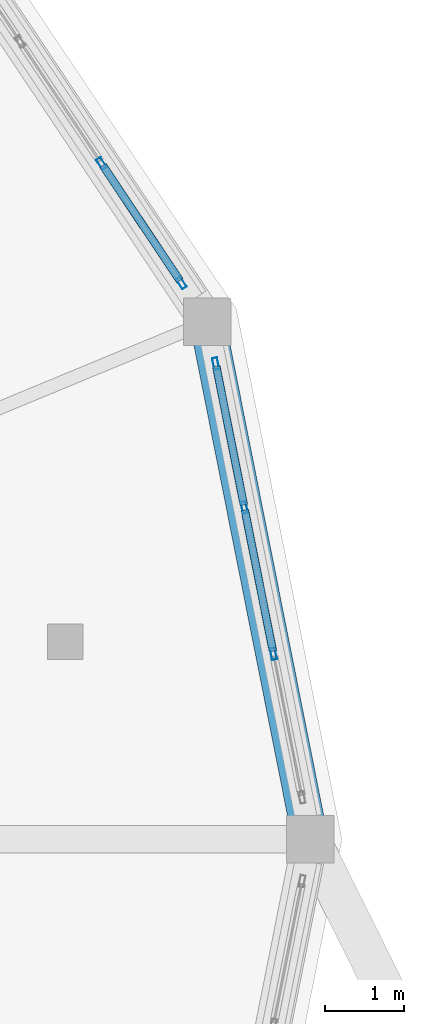
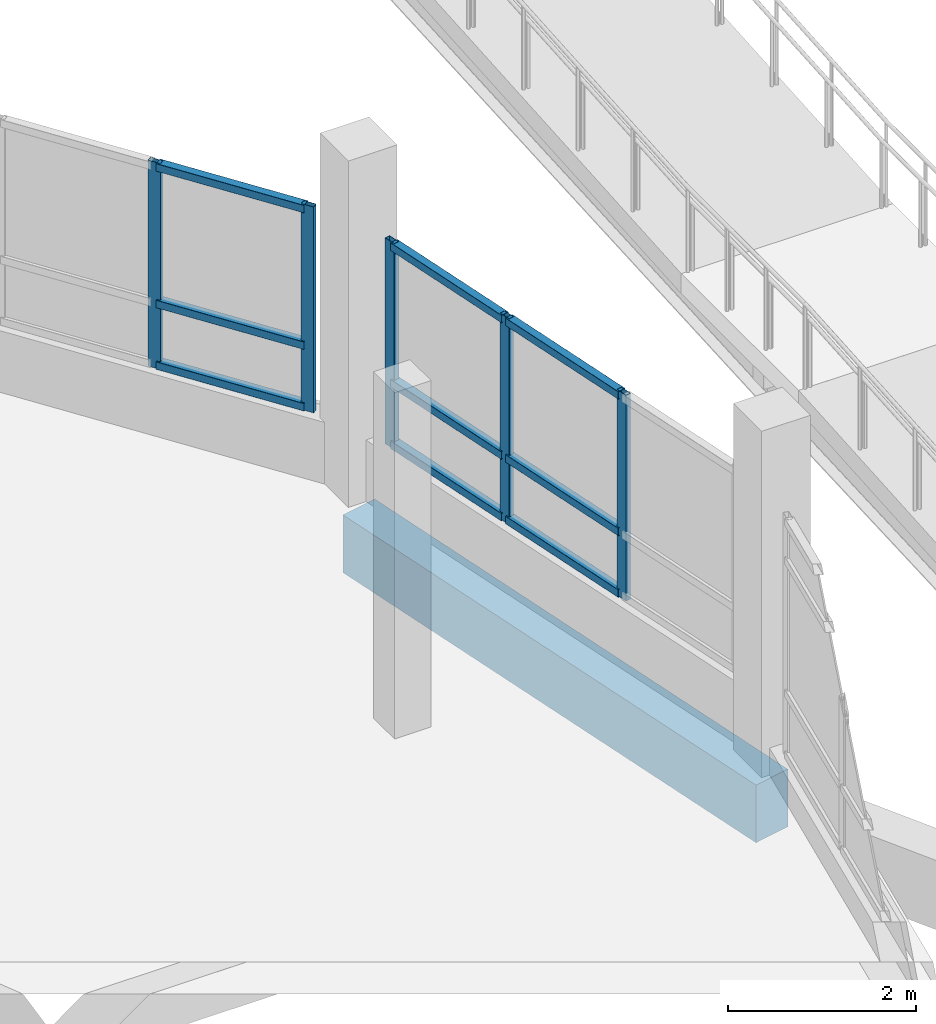
# One storey, part 76 of 129: 14 members, 1 beam, 2 elements without a shape of their own.
"""IFC4 building model written with IfcOpenShell, lengths in metres."""

from ifc_helpers import new_model, si_unit, direction, frame, origin, origin_2d, place, context, subcontext, project, spatial, rectangle, hollow_rectangle, extrude, material, layer, layer_set, material_profile, profile_set, type_object, element, aggregate, save


model = new_model("IFC4")

# Units and contexts
model_context = context("Model", 3, precision=1e-05, world=origin(), true_north=direction((0.0, 1.0)))
body_context = subcontext(model_context, "Body", "Model", "MODEL_VIEW")
ifc_project = project(units=[si_unit("LENGTHUNIT", "METRE"), si_unit("AREAUNIT", "SQUARE_METRE"), si_unit("VOLUMEUNIT", "CUBIC_METRE"), si_unit("PLANEANGLEUNIT", "RADIAN"), si_unit("MASSUNIT", "GRAM", prefix="KILO")], contexts=[model_context])

# Site, building, storey
site_placement = place(None, origin())
site = spatial("IfcSite", under=ifc_project, at=site_placement, CompositionType="ELEMENT")
building_placement = place(site_placement, origin())
building = spatial("IfcBuilding", under=site, at=building_placement, Name="Vespera Passage Community Centre", CompositionType="ELEMENT")
storey_placement = place(building_placement, origin())
storey = spatial("IfcBuildingStorey", under=building, at=storey_placement, Name="L00", CompositionType="ELEMENT", Elevation=0.0)

# Beam
ifc_material_1 = material(Name="Concrete f'c 35 MPa", Category="concrete")
ifc_material_profile_1 = material_profile(ifc_material_1, rectangle(XDim=0.449951171875, YDim=0.75, at=origin_2d()), Name="RC450X750")
ifc_profile_set_1 = profile_set([ifc_material_profile_1], Name="Concrete f'c 35 MPa")
beam_type = type_object("IfcBeamType", Name="BM-SP-450X750E", PredefinedType="SPANDREL", material=ifc_profile_set_1)
beam_placement = place(storey_placement, frame((158.10009765625, 25.0, -0.655029296875), z_axis=(-0.195102743632, 0.980782809509, 0.0), x_axis=(-0.980782809509, -0.195102743632, 0.0)))
element("IfcBeam", 1, at=beam_placement, inside=storey, type_object=beam_type, Name="V3 L00 Spandrel 1", PredefinedType="SPANDREL", context=body_context, shape_type="SweptSolid", body=[
    extrude(rectangle(XDim=0.449951171875, YDim=0.75, at=origin_2d()), origin(), (0.0, 0.0, 1.0), 6.672119140625),
])

# Curtain wall, members
ifc_material_2 = material(Name="Anodized aluminium 6063-T6", Category="aluminium")
ifc_layer_1 = layer(ifc_material_2, 0.159912109375)
ifc_layer_set_1 = layer_set([ifc_layer_1], Name="Anodized aluminium 6063-T6")
curtain_wall_type_1 = type_object("IfcCurtainWallType", Name="CW-101E", PredefinedType="NOTDEFINED", material=ifc_layer_set_1)
curtain_wall_1_placement = place(storey_placement, origin())
curtain_wall_1 = element("IfcCurtainWall", 2, at=curtain_wall_1_placement, inside=storey, type_object=curtain_wall_type_1, Name="Dining Drum Ribbon Curtain Wall L00.1", PredefinedType="NOTDEFINED")
ifc_material_3 = material(Name="Anodized aluminium 6063-T6", Category="aluminium")
ifc_material_profile_2 = material_profile(ifc_material_3, hollow_rectangle(XDim=0.06494140625, YDim=0.14990234375, WallThickness=0.00390625, InnerFilletRadius=0.001953125, OuterFilletRadius=0.00390625, at=origin_2d()), Name="ALU150X65X4")
ifc_profile_set_2 = profile_set([ifc_material_profile_2], Name="Anodized aluminium 6063-T6")
member_type_1 = type_object("IfcMemberType", Name="MB-CWM-150E", PredefinedType="MULLION", material=ifc_profile_set_2)
member_1_placement = place(storey_placement, frame((156.9033203125, 31.015869140625, 0.800048828125), z_axis=(0.0, 0.0, 1.0), x_axis=(0.980783996069, 0.195096778691, 0.0)))
member_1 = element("IfcMember", 3, at=member_1_placement, type_object=member_type_1, Name="CW-101E mullion 1", PredefinedType="MULLION", context=body_context, shape_type="SweptSolid", body=[
    extrude(hollow_rectangle(XDim=0.06494140625, YDim=0.14990234375, WallThickness=0.00390625, InnerFilletRadius=0.001953125, OuterFilletRadius=0.00390625, at=origin_2d()), origin(), (0.0, 0.0, 1.0), 2.675048828125),
])
member_2_placement = place(storey_placement, frame((157.26513671875, 29.197265625, 0.800048828125), z_axis=(0.0, 0.0, 1.0), x_axis=(0.980783996069, 0.195096778691, 0.0)))
member_2 = element("IfcMember", 4, at=member_2_placement, type_object=member_type_1, Name="CW-101E mullion 2", PredefinedType="MULLION", context=body_context, shape_type="SweptSolid", body=[
    extrude(hollow_rectangle(XDim=0.06494140625, YDim=0.14990234375, WallThickness=0.00390625, InnerFilletRadius=0.001953125, OuterFilletRadius=0.00390625, at=origin_2d()), origin(), (0.0, 0.0, 1.0), 2.675048828125),
])
member_3_placement = place(storey_placement, frame((157.63330078125, 27.3466796875, 0.800048828125), z_axis=(0.0, 0.0, 1.0), x_axis=(0.980783996069, 0.195096778691, 0.0)))
member_3 = element("IfcMember", 5, at=member_3_placement, type_object=member_type_1, Name="CW-101E mullion 3", PredefinedType="MULLION", context=body_context, shape_type="SweptSolid", body=[
    extrude(hollow_rectangle(XDim=0.06494140625, YDim=0.14990234375, WallThickness=0.00390625, InnerFilletRadius=0.001953125, OuterFilletRadius=0.00390625, at=origin_2d()), origin(), (0.0, 0.0, 1.0), 2.675048828125),
])

ifc_material_4 = material(Name="Anodized aluminium 6063-T6", Category="aluminium")
ifc_layer_2 = layer(ifc_material_4, 0.159912109375)
ifc_layer_set_2 = layer_set([ifc_layer_2], Name="Anodized aluminium 6063-T6")
curtain_wall_type_2 = type_object("IfcCurtainWallType", Name="CW-102E", PredefinedType="NOTDEFINED", material=ifc_layer_set_2)
curtain_wall_2_placement = place(storey_placement, origin())
curtain_wall_2 = element("IfcCurtainWall", 6, at=curtain_wall_2_placement, inside=storey, type_object=curtain_wall_type_2, Name="Dining Drum Ribbon Curtain Wall L00.2", PredefinedType="NOTDEFINED")
member_4_placement = place(storey_placement, frame((155.458740234375, 33.548583984375, 0.800048828125), z_axis=(0.0, 0.0, 1.0), x_axis=(0.831473308708, 0.555564700918, 0.0)))
member_4 = element("IfcMember", 7, at=member_4_placement, type_object=member_type_1, Name="CW-102E mullion 3", PredefinedType="MULLION", context=body_context, shape_type="SweptSolid", body=[
    extrude(hollow_rectangle(XDim=0.06494140625, YDim=0.14990234375, WallThickness=0.00390625, InnerFilletRadius=0.001953125, OuterFilletRadius=0.00390625, at=origin_2d()), origin(), (0.0, 0.0, 1.0), 2.675048828125),
])
member_5_placement = place(storey_placement, frame((156.46875, 32.037109375, 0.800048828125), z_axis=(0.0, 0.0, 1.0), x_axis=(0.831473308708, 0.555564700918, 0.0)))
member_5 = element("IfcMember", 8, at=member_5_placement, type_object=member_type_1, Name="CW-102E mullion 4", PredefinedType="MULLION", context=body_context, shape_type="SweptSolid", body=[
    extrude(hollow_rectangle(XDim=0.06494140625, YDim=0.14990234375, WallThickness=0.00390625, InnerFilletRadius=0.001953125, OuterFilletRadius=0.00390625, at=origin_2d()), origin(), (0.0, 0.0, 1.0), 2.675048828125),
])

# Member
ifc_material_5 = material(Name="Anodized aluminium 6063-T6", Category="aluminium")
ifc_material_profile_3 = material_profile(ifc_material_5, hollow_rectangle(XDim=0.10009765625, YDim=0.10009765625, WallThickness=0.00390625, InnerFilletRadius=0.001953125, OuterFilletRadius=0.00390625, at=origin_2d()), Name="ALU100X100X4")
ifc_profile_set_3 = profile_set([ifc_material_profile_3], Name="Anodized aluminium 6063-T6")
member_type_2 = type_object("IfcMemberType", Name="MB-CWT-100E", PredefinedType="USERDEFINED", material=ifc_profile_set_3)
member_6_placement = place(storey_placement, frame((156.90966796875, 30.98388671875, 0.85009765625), z_axis=(0.195118922523, -0.980779590975, 0.0), x_axis=(0.980779590975, 0.195118922523, 0.0)))
member_6 = element("IfcMember", 9, at=member_6_placement, type_object=member_type_2, Name="CW-101E transom 1.1", ObjectType="TRANSOM", PredefinedType="USERDEFINED", context=body_context, shape_type="SweptSolid", body=[
    extrude(hollow_rectangle(XDim=0.10009765625, YDim=0.10009765625, WallThickness=0.00390625, InnerFilletRadius=0.001953125, OuterFilletRadius=0.00390625, at=origin_2d()), origin(), (0.0, 0.0, 1.0), 1.789306640625),
])

member_7_placement = place(storey_placement, frame((156.90966796875, 30.98388671875, 1.64990234375), z_axis=(0.195118922523, -0.980779590975, 0.0), x_axis=(0.980779590975, 0.195118922523, 0.0)))
member_7 = element("IfcMember", 10, at=member_7_placement, type_object=member_type_2, Name="CW-101E transom 1.2", ObjectType="TRANSOM", PredefinedType="USERDEFINED", context=body_context, shape_type="SweptSolid", body=[
    extrude(hollow_rectangle(XDim=0.10009765625, YDim=0.10009765625, WallThickness=0.00390625, InnerFilletRadius=0.001953125, OuterFilletRadius=0.00390625, at=origin_2d()), origin(), (0.0, 0.0, 1.0), 1.789306640625),
])

member_8_placement = place(storey_placement, frame((156.90966796875, 30.98388671875, 3.425048828125), z_axis=(0.195118922523, -0.980779590975, 0.0), x_axis=(0.980779590975, 0.195118922523, 0.0)))
member_8 = element("IfcMember", 11, at=member_8_placement, type_object=member_type_2, Name="CW-101E transom 1.3", ObjectType="TRANSOM", PredefinedType="USERDEFINED", context=body_context, shape_type="SweptSolid", body=[
    extrude(hollow_rectangle(XDim=0.10009765625, YDim=0.10009765625, WallThickness=0.00390625, InnerFilletRadius=0.001953125, OuterFilletRadius=0.00390625, at=origin_2d()), origin(), (0.0, 0.0, 1.0), 1.789306640625),
])

member_9_placement = place(storey_placement, frame((157.271484375, 29.165283203125, 0.85009765625), z_axis=(0.195136642714, -0.980776065507, 0.0), x_axis=(0.980776065507, 0.195136642714, 0.0)))
member_9 = element("IfcMember", 12, at=member_9_placement, type_object=member_type_2, Name="CW-101E transom 2.1", ObjectType="TRANSOM", PredefinedType="USERDEFINED", context=body_context, shape_type="SweptSolid", body=[
    extrude(hollow_rectangle(XDim=0.10009765625, YDim=0.10009765625, WallThickness=0.00390625, InnerFilletRadius=0.001953125, OuterFilletRadius=0.00390625, at=origin_2d()), origin(), (0.0, 0.0, 1.0), 1.821533203125),
])

member_10_placement = place(storey_placement, frame((157.271484375, 29.165283203125, 1.64990234375), z_axis=(0.195136642714, -0.980776065507, 0.0), x_axis=(0.980776065507, 0.195136642714, 0.0)))
member_10 = element("IfcMember", 13, at=member_10_placement, type_object=member_type_2, Name="CW-101E transom 2.2", ObjectType="TRANSOM", PredefinedType="USERDEFINED", context=body_context, shape_type="SweptSolid", body=[
    extrude(hollow_rectangle(XDim=0.10009765625, YDim=0.10009765625, WallThickness=0.00390625, InnerFilletRadius=0.001953125, OuterFilletRadius=0.00390625, at=origin_2d()), origin(), (0.0, 0.0, 1.0), 1.821533203125),
])

member_11_placement = place(storey_placement, frame((157.271484375, 29.165283203125, 3.425048828125), z_axis=(0.195136642714, -0.980776065507, 0.0), x_axis=(0.980776065507, 0.195136642714, 0.0)))
member_11 = element("IfcMember", 14, at=member_11_placement, type_object=member_type_2, Name="CW-101E transom 2.3", ObjectType="TRANSOM", PredefinedType="USERDEFINED", context=body_context, shape_type="SweptSolid", body=[
    extrude(hollow_rectangle(XDim=0.10009765625, YDim=0.10009765625, WallThickness=0.00390625, InnerFilletRadius=0.001953125, OuterFilletRadius=0.00390625, at=origin_2d()), origin(), (0.0, 0.0, 1.0), 1.821533203125),
])

aggregate(curtain_wall_1, [member_1, member_2, member_3, member_6, member_7, member_8, member_9, member_10, member_11])

member_12_placement = place(storey_placement, frame((155.476806640625, 33.521484375, 0.85009765625), z_axis=(0.555632026719, -0.831428319751, 0.0), x_axis=(0.831428319751, 0.555632026719, 0.0)))
member_12 = element("IfcMember", 15, at=member_12_placement, type_object=member_type_2, Name="CW-102E transom 3.1", ObjectType="TRANSOM", PredefinedType="USERDEFINED", context=body_context, shape_type="SweptSolid", body=[
    extrude(hollow_rectangle(XDim=0.10009765625, YDim=0.10009765625, WallThickness=0.00390625, InnerFilletRadius=0.001953125, OuterFilletRadius=0.00390625, at=origin_2d()), origin(), (0.0, 0.0, 1.0), 1.752685546875),
])

member_13_placement = place(storey_placement, frame((155.476806640625, 33.521484375, 1.64990234375), z_axis=(0.555632026719, -0.831428319751, 0.0), x_axis=(0.831428319751, 0.555632026719, 0.0)))
member_13 = element("IfcMember", 16, at=member_13_placement, type_object=member_type_2, Name="CW-102E transom 3.2", ObjectType="TRANSOM", PredefinedType="USERDEFINED", context=body_context, shape_type="SweptSolid", body=[
    extrude(hollow_rectangle(XDim=0.10009765625, YDim=0.10009765625, WallThickness=0.00390625, InnerFilletRadius=0.001953125, OuterFilletRadius=0.00390625, at=origin_2d()), origin(), (0.0, 0.0, 1.0), 1.752685546875),
])

member_14_placement = place(storey_placement, frame((155.476806640625, 33.521484375, 3.425048828125), z_axis=(0.555632026719, -0.831428319751, 0.0), x_axis=(0.831428319751, 0.555632026719, 0.0)))
member_14 = element("IfcMember", 17, at=member_14_placement, type_object=member_type_2, Name="CW-102E transom 3.3", ObjectType="TRANSOM", PredefinedType="USERDEFINED", context=body_context, shape_type="SweptSolid", body=[
    extrude(hollow_rectangle(XDim=0.10009765625, YDim=0.10009765625, WallThickness=0.00390625, InnerFilletRadius=0.001953125, OuterFilletRadius=0.00390625, at=origin_2d()), origin(), (0.0, 0.0, 1.0), 1.752685546875),
])

aggregate(curtain_wall_2, [member_4, member_5, member_12, member_13, member_14])

save(model, "model.ifc")
